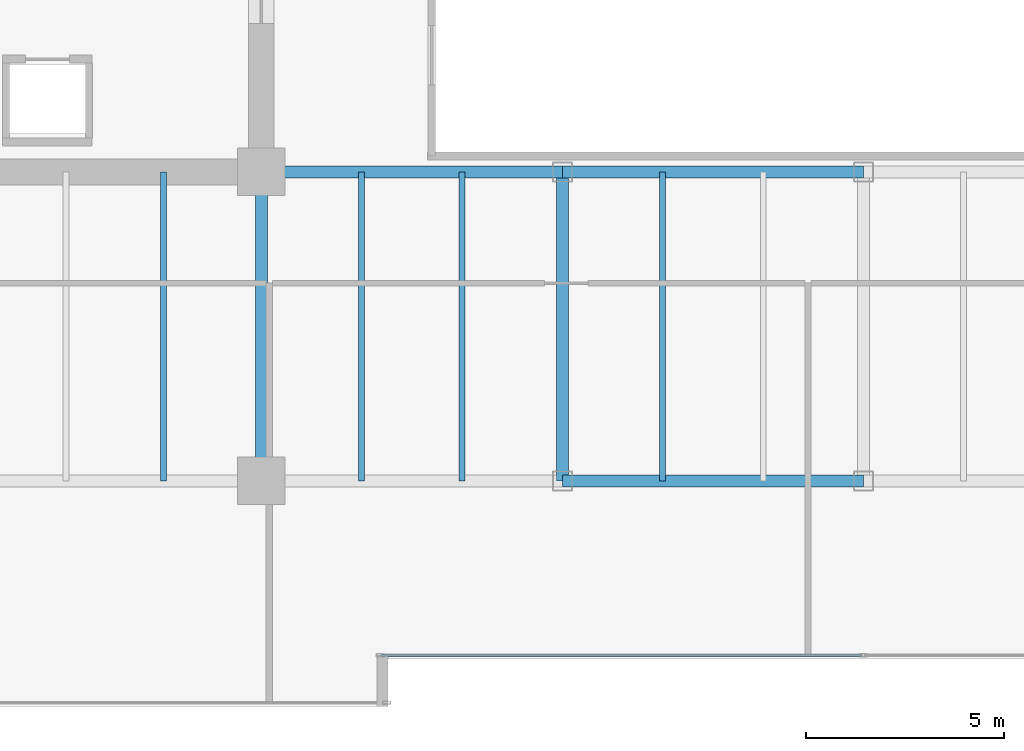
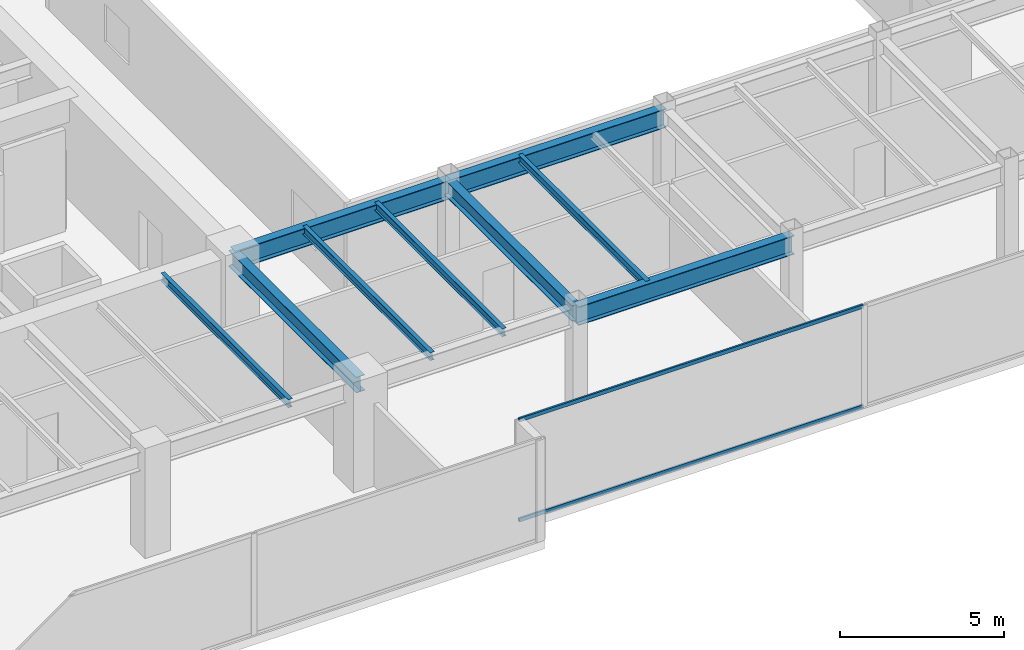
# One storey, part 5 of 31: 9 beams, 2 members, 1 element without a shape of its own.
"""IFC4 building model written with IfcOpenShell, lengths in metres."""

import ifcopenshell
import ifcopenshell.guid

model = None  # the IFC model being written
_history = None  # IfcOwnerHistory: only IFC2X3 demands one
_inside = {}  # id of a spatial element -> (the spatial element, [elements in it])
_under = {}  # id of a project, library or spatial element -> (it, [spatial elements below it])
_declared = {}  # id of a project -> (the project, [libraries it declares])
_typed = {}  # id of a type object -> (the type object, [elements of that type])
_made_of = {}  # id of a material, layer set ... -> (it, [elements and type objects made of it])


def new_model(schema):
    """Start an empty IFC model of exactly this schema.

    Asked for "IFC4X3", IfcOpenShell would pick the latest addendum, in which some entities
    have other attributes; the version numbers below select the first issue.
    IFC2X3 requires an IfcOwnerHistory on every rooted entity: one is made here for all.
    """
    global model, _history
    if schema == "IFC4X3":
        model = ifcopenshell.file(schema_version=(4, 3, 0, 0))
    else:
        model = ifcopenshell.file(schema=schema)
    _inside.clear()
    _under.clear()
    _declared.clear()
    _typed.clear()
    _made_of.clear()
    _history = None
    if model.schema == "IFC2X3":
        org = make("IfcOrganization", Name="unknown")
        user = make(
            "IfcPersonAndOrganization",
            ThePerson=make("IfcPerson", FamilyName="unknown"),
            TheOrganization=org,
        )
        app = make(
            "IfcApplication",
            ApplicationDeveloper=org,
            Version="unknown",
            ApplicationFullName="unknown",
            ApplicationIdentifier="unknown",
        )
        _history = make(
            "IfcOwnerHistory",
            OwningUser=user,
            OwningApplication=app,
            ChangeAction="ADDED",
            CreationDate=0,
        )
    return model


def make(cls, **values):
    """One entity of the class cls with the attributes given. An attribute that is None is left unset."""
    return model.create_entity(
        cls, **{name: value for name, value in values.items() if value is not None}
    )


def rooted(cls, **values):
    """An entity with a GlobalId (a new one), such as an element, a storey or a relation."""
    return make(cls, GlobalId=ifcopenshell.guid.new(), OwnerHistory=_history, **values)


def si_unit(unit_type, name, prefix=None):
    """IfcSIUnit, for example si_unit("LENGTHUNIT", "METRE", prefix="MILLI")."""
    return make("IfcSIUnit", UnitType=unit_type, Prefix=prefix, Name=name)


def assignment(units):
    """IfcUnitAssignment: the units of a project."""
    return None if units is None else make("IfcUnitAssignment", Units=units)


def point(xyz):
    """IfcCartesianPoint."""
    return None if xyz is None else make("IfcCartesianPoint", Coordinates=xyz)


def direction(xyz):
    """IfcDirection."""
    return None if xyz is None else make("IfcDirection", DirectionRatios=xyz)


def frame(location, z_axis=None, x_axis=None):
    """IfcAxis2Placement3D, a coordinate frame: its origin and axes. An axis left out is left unset."""
    return make(
        "IfcAxis2Placement3D",
        Location=point(location),
        Axis=direction(z_axis),
        RefDirection=direction(x_axis),
    )


def frame_2d(location, x_axis=None):
    """IfcAxis2Placement2D, a coordinate frame in the plane: its origin and x axis."""
    return make(
        "IfcAxis2Placement2D", Location=point(location), RefDirection=direction(x_axis)
    )


def origin():
    """The frame at (0, 0, 0) with its axes left unset."""
    return frame((0.0, 0.0, 0.0))


def origin_2d():
    """The frame at (0, 0) in the plane with its x axis left unset."""
    return frame_2d((0.0, 0.0))


def place(relative_to, where):
    """IfcLocalPlacement: puts the frame where relative to a parent placement (None: the world)."""
    return make(
        "IfcLocalPlacement", PlacementRelTo=relative_to, RelativePlacement=where
    )


def context(
    kind, dimensions, precision=None, world=None, true_north=None, identifier=None
):
    """IfcGeometricRepresentationContext, for example the 3D "Model" context."""
    return make(
        "IfcGeometricRepresentationContext",
        ContextIdentifier=identifier,
        ContextType=kind,
        CoordinateSpaceDimension=dimensions,
        Precision=precision,
        WorldCoordinateSystem=world,
        TrueNorth=true_north,
    )


def subcontext(parent, identifier, kind, view, scale=None):
    """IfcGeometricRepresentationSubContext, for example "Body" below "Model"."""
    return make(
        "IfcGeometricRepresentationSubContext",
        ContextIdentifier=identifier,
        ContextType=kind,
        ParentContext=parent,
        TargetScale=scale,
        TargetView=view,
    )


def project(units=None, contexts=None):
    """IfcProject with its units and contexts."""
    return rooted(
        "IfcProject",
        Name="project",
        RepresentationContexts=contexts,
        UnitsInContext=assignment(units),
    )


def spatial(cls, under=None, at=None, **own):
    """A site, building, storey or space (cls), placed at a placement, below another one or the project."""
    s = rooted(cls, ObjectPlacement=at, **own)
    if under is not None:
        _under.setdefault(under.id(), (under, []))[1].append(s)
    return s


def profile(cls, at=None, kind="AREA", **sizes):
    """A parametric profile (cls). Its sizes go by their IFC names, for example OverallWidth=200.0."""
    return make(cls, ProfileType=kind, Position=at, **sizes)


def hollow_rectangle(**sizes):
    """IfcRectangleHollowProfileDef."""
    return profile("IfcRectangleHollowProfileDef", **sizes)


def i_section(**sizes):
    """IfcIShapeProfileDef."""
    return profile("IfcIShapeProfileDef", **sizes)


def extrude(swept, where, along, depth):
    """IfcExtrudedAreaSolid: the profile swept, set in the frame where, extruded along a direction by depth."""
    return make(
        "IfcExtrudedAreaSolid",
        SweptArea=swept,
        Position=where,
        ExtrudedDirection=direction(along),
        Depth=depth,
    )


def shape(context_of_items, identifier, shape_type, items):
    """IfcShapeRepresentation: the items that make up one representation, for example the "Body"."""
    return make(
        "IfcShapeRepresentation",
        ContextOfItems=context_of_items,
        RepresentationIdentifier=identifier,
        RepresentationType=shape_type,
        Items=items,
    )


def source(mapping_origin, context_of_items, identifier, shape_type, items):
    """IfcRepresentationMap: a shape defined once, which mapped items show again and again."""
    return make(
        "IfcRepresentationMap",
        MappingOrigin=mapping_origin,
        MappedRepresentation=shape(context_of_items, identifier, shape_type, items),
    )


def transform(
    local_origin,
    x_axis=None,
    y_axis=None,
    z_axis=None,
    scale=None,
    scale2=None,
    scale3=None,
    uniform=True,
):
    """IfcCartesianTransformationOperator3D, or its non-uniform kind. x_axis, y_axis, z_axis: its Axis1, 2, 3."""
    if uniform:
        return make(
            "IfcCartesianTransformationOperator3D",
            Axis1=direction(x_axis),
            Axis2=direction(y_axis),
            LocalOrigin=point(local_origin),
            Scale=scale,
            Axis3=direction(z_axis),
        )
    return make(
        "IfcCartesianTransformationOperator3DnonUniform",
        Axis1=direction(x_axis),
        Axis2=direction(y_axis),
        LocalOrigin=point(local_origin),
        Scale=scale,
        Axis3=direction(z_axis),
        Scale2=scale2,
        Scale3=scale3,
    )


def mapped(mapping_source, mapping_target):
    """IfcMappedItem: shows the shape of a source again, moved by a transform."""
    return make(
        "IfcMappedItem", MappingSource=mapping_source, MappingTarget=mapping_target
    )


def material(Name=None, Category=None):
    """IfcMaterial."""
    return make("IfcMaterial", Name=Name, Category=Category)


def layer(
    of_material, thickness, ventilated=None, Name=None, Category=None, Priority=None
):
    """IfcMaterialLayer: one layer of a wall or slab, of a material (None: an air gap)."""
    return make(
        "IfcMaterialLayer",
        Material=of_material,
        LayerThickness=thickness,
        IsVentilated=ventilated,
        Name=Name,
        Category=Category,
        Priority=Priority,
    )


def layer_set(layers, Name=None):
    """IfcMaterialLayerSet."""
    return make("IfcMaterialLayerSet", MaterialLayers=layers, LayerSetName=Name)


def material_profile(
    of_material, cross_section, Name=None, Category=None, Priority=None
):
    """IfcMaterialProfile: a cross section and its material."""
    return make(
        "IfcMaterialProfile",
        Name=Name,
        Material=of_material,
        Profile=cross_section,
        Priority=Priority,
        Category=Category,
    )


def profile_set(profiles, Name=None, composite=None):
    """IfcMaterialProfileSet."""
    return make(
        "IfcMaterialProfileSet",
        Name=Name,
        MaterialProfiles=profiles,
        CompositeProfile=composite,
    )


def made_of(thing, what):
    """Note that an element or type object is made of a material, layer set ...; save() writes the relation."""
    if what is not None:
        _made_of.setdefault(what.id(), (what, []))[1].append(thing)
    return thing


def type_object(cls, material=None, **own):
    """A type object (cls), such as IfcWallType, which elements share."""
    return made_of(rooted(cls, **own), material)


def type_shapes(of_type, sources):
    """Give a type object the sources (RepresentationMaps) that its elements show as mapped items."""
    of_type.RepresentationMaps = sources


def element(
    cls,
    number,
    at=None,
    inside=None,
    cuts=None,
    type_object=None,
    material=None,
    context=None,
    identifier="Body",
    shape_type=None,
    held_by="IfcProductDefinitionShape",
    body=None,
    shapes=None,
    **own,
):
    """One element of the class cls, such as IfcWall. Its Tag is "e" and its number.

    at: its placement. inside: the storey or other place that contains it. cuts: it is an
    opening in that element (IfcRelVoidsElement). A single representation is given by context,
    identifier, shape_type and body (its items); several are given by shapes. held_by: the class
    of the entity that holds the representations. save() writes the other relations.
    """
    e = rooted(cls, Tag="e%d" % number, ObjectPlacement=at, **own)
    if body is not None:
        shapes = [shape(context, identifier, shape_type, body)]
    if shapes is not None:
        e.Representation = make(held_by, Representations=shapes)
    if inside is not None:
        _inside.setdefault(inside.id(), (inside, []))[1].append(e)
    if cuts is not None:
        rooted(
            "IfcRelVoidsElement", RelatingBuildingElement=cuts, RelatedOpeningElement=e
        )
    if type_object is not None:
        _typed.setdefault(type_object.id(), (type_object, []))[1].append(e)
    return made_of(e, material)


def aggregate(whole, parts):
    """IfcRelAggregates: a whole, such as a stair, and the parts it consists of."""
    return rooted("IfcRelAggregates", RelatingObject=whole, RelatedObjects=parts)


def save(model, path):
    """Write the relations noted so far, then the file.

    IfcRelAggregates (storeys below a building ...), IfcRelContainedInSpatialStructure (elements
    in a storey), IfcRelDefinesByType, IfcRelAssociatesMaterial and IfcRelDeclares: one each for
    every whole, place, type object, material and project.
    """
    for whole, parts in _under.values():
        aggregate(whole, parts)
    for where, things in _inside.values():
        rooted(
            "IfcRelContainedInSpatialStructure",
            RelatedElements=things,
            RelatingStructure=where,
        )
    for kind, things in _typed.values():
        rooted("IfcRelDefinesByType", RelatedObjects=things, RelatingType=kind)
    for what, things in _made_of.values():
        rooted("IfcRelAssociatesMaterial", RelatedObjects=things, RelatingMaterial=what)
    for by, libraries in _declared.values():
        rooted("IfcRelDeclares", RelatingContext=by, RelatedDefinitions=libraries)
    model.write(path)


model = new_model("IFC4")

# Units and contexts
model_context = context("Model", 3, precision=1e-05, world=origin(), true_north=direction((0.0, 1.0)))
body_context = subcontext(model_context, "Body", "Model", "MODEL_VIEW")
ifc_project = project(units=[si_unit("LENGTHUNIT", "METRE"), si_unit("AREAUNIT", "SQUARE_METRE"), si_unit("VOLUMEUNIT", "CUBIC_METRE"), si_unit("PLANEANGLEUNIT", "RADIAN"), si_unit("MASSUNIT", "GRAM", prefix="KILO")], contexts=[model_context])

# Site, building, storey
site_placement = place(None, origin())
site = spatial("IfcSite", under=ifc_project, at=site_placement, CompositionType="ELEMENT")
building_placement = place(site_placement, origin())
building = spatial("IfcBuilding", under=site, at=building_placement, Name="Haelvirn Gate Laboratories", CompositionType="ELEMENT")
storey_placement = place(building_placement, frame((0.0, 0.0, 174.800048828125)))
storey = spatial("IfcBuildingStorey", under=building, at=storey_placement, Name="L42", CompositionType="ELEMENT", Elevation=174.800048828125)

# Beams
ifc_material_1 = material(Name="Steel SM355", Category="steel")
ifc_material_profile_1 = material_profile(ifc_material_1, i_section(OverallWidth=0.300048828125, OverallDepth=0.699951171875, WebThickness=0.012939453125, FlangeThickness=0.02392578125, at=origin_2d()), Name="H-700x300x13x24")
ifc_profile_set_1 = profile_set([ifc_material_profile_1], Name="Steel SM355")
beam_type_1 = type_object("IfcBeamType", Name="BM-G-700", PredefinedType="BEAM", material=ifc_profile_set_1)
shared_shape_1 = source(origin(), body_context, "Body", "SweptSolid", [
    extrude(i_section(OverallWidth=0.300048828125, OverallDepth=0.699951171875, WebThickness=0.012939453125, FlangeThickness=0.02392578125, at=origin_2d()), origin(), (0.0, 0.0, 1.0), 7.60009765625),
])
beam_placement = place(storey_placement, frame((22.199951171875, 14.800048828125, 3.43994140625), z_axis=(1.0, 0.0, 0.0), x_axis=(0.0, 1.0, 0.0)))
element("IfcBeam", 1, at=beam_placement, inside=storey, type_object=beam_type_1, Name="L42 Primary Girder Y14.8 (22.2-29.8)", PredefinedType="BEAM", context=body_context, shape_type="MappedRepresentation", body=[
    mapped(shared_shape_1, transform((0.0, 0.0, 0.0), scale=1.0)),
])
shared_shape_2 = source(origin(), body_context, "Body", "SweptSolid", [
    extrude(i_section(OverallWidth=0.300048828125, OverallDepth=0.699951171875, WebThickness=0.012939453125, FlangeThickness=0.02392578125, at=origin_2d()), origin(), (0.0, 0.0, 1.0), 7.599853515625),
])
type_shapes(beam_type_1, [shared_shape_1, shared_shape_2])
for number, where, z_axis, x_axis, name in (
    (2, (29.800048828125, 7.0, 3.43994140625), (1.0, 0.0, 0.0), (0.0, 1.0, 0.0), "L42 Primary Girder Y7.0 (29.8-37.4)"),
    (3, (29.800048828125, 14.800048828125, 3.43994140625), (1.0, 0.0, 0.0), (0.0, 1.0, 0.0), "L42 Primary Girder Y14.8 (29.8-37.4)"),
):
    element("IfcBeam", number, at=place(storey_placement, frame(where, z_axis=z_axis, x_axis=x_axis)), inside=storey, type_object=beam_type_1, Name=name, PredefinedType="BEAM", context=body_context, shape_type="MappedRepresentation", body=[
        mapped(shared_shape_2, transform((0.0, 0.0, 0.0), scale=1.0)),
    ])
ifc_material_profile_2 = material_profile(ifc_material_1, i_section(OverallWidth=0.14990234375, OverallDepth=0.300048828125, WebThickness=0.006591796875, FlangeThickness=0.009033203125, at=origin_2d()), Name="H-300x150x6.5x9")
ifc_profile_set_2 = profile_set([ifc_material_profile_2], Name="Steel SM355")
beam_type_2 = type_object("IfcBeamType", Name="BM-J-300", PredefinedType="JOIST", material=ifc_profile_set_2)
shared_shape_3 = source(origin(), body_context, "Body", "SweptSolid", [
    extrude(i_section(OverallWidth=0.14990234375, OverallDepth=0.300048828125, WebThickness=0.006591796875, FlangeThickness=0.009033203125, at=origin_2d()), origin(), (0.0, 0.0, 1.0), 7.800048828125),
])
type_shapes(beam_type_2, [shared_shape_3])
for number, where, z_axis, x_axis, name in (
    (4, (19.72998046875, 7.0, 3.639892578125), (0.0, 1.0, 0.0), (-1.0, 0.0, 0.0), "L42 Composite Lab Joist South X19.73"),
    (5, (24.72998046875, 7.0, 3.639892578125), (0.0, 1.0, 0.0), (-1.0, 0.0, 0.0), "L42 Composite Lab Joist South X24.73"),
    (6, (27.27001953125, 7.0, 3.639892578125), (0.0, 1.0, 0.0), (-1.0, 0.0, 0.0), "L42 Composite Lab Joist South X27.27"),
    (7, (32.330078125, 7.0, 3.639892578125), (0.0, 1.0, 0.0), (-1.0, 0.0, 0.0), "L42 Composite Lab Joist South X32.33"),
):
    element("IfcBeam", number, at=place(storey_placement, frame(where, z_axis=z_axis, x_axis=x_axis)), inside=storey, type_object=beam_type_2, Name=name, PredefinedType="JOIST", context=body_context, shape_type="MappedRepresentation", body=[
        mapped(shared_shape_3, transform((0.0, 0.0, 0.0), scale=1.0)),
    ])
ifc_material_profile_3 = material_profile(ifc_material_1, i_section(OverallWidth=0.300048828125, OverallDepth=0.587890625, WebThickness=0.011962890625, FlangeThickness=0.02001953125, at=origin_2d()), Name="H-588x300x12x20")
ifc_profile_set_3 = profile_set([ifc_material_profile_3], Name="Steel SM355")
beam_type_3 = type_object("IfcBeamType", Name="BM-G-588", PredefinedType="BEAM", material=ifc_profile_set_3)
shared_shape_4 = source(origin(), body_context, "Body", "SweptSolid", [
    extrude(i_section(OverallWidth=0.300048828125, OverallDepth=0.587890625, WebThickness=0.011962890625, FlangeThickness=0.02001953125, at=origin_2d()), origin(), (0.0, 0.0, 1.0), 7.800048828125),
])
type_shapes(beam_type_3, [shared_shape_4])
for number, where, z_axis, x_axis, name in (
    (8, (22.199951171875, 7.0, 3.495849609375), (0.0, 1.0, 0.0), (-1.0, 0.0, 0.0), "L42 Frame Girder X22.2 (7.0-14.8)"),
    (9, (29.800048828125, 7.0, 3.495849609375), (0.0, 1.0, 0.0), (-1.0, 0.0, 0.0), "L42 Frame Girder X29.8 (7.0-14.8)"),
):
    element("IfcBeam", number, at=place(storey_placement, frame(where, z_axis=z_axis, x_axis=x_axis)), inside=storey, type_object=beam_type_3, Name=name, PredefinedType="BEAM", context=body_context, shape_type="MappedRepresentation", body=[
        mapped(shared_shape_4, transform((0.0, 0.0, 0.0), scale=1.0)),
    ])

# Curtain wall, members
ifc_material_2 = material(Name="Anodised bronze unitised aluminium & triple low-E glass", Category="aluminium")
ifc_layer = layer(ifc_material_2, 0.179931640625, Name="CW-SYS-3")
ifc_layer_set = layer_set([ifc_layer], Name="Anodised bronze unitised aluminium & triple low-E glass")
curtain_wall_type = type_object("IfcCurtainWallType", Name="CW-SYS-3", PredefinedType="NOTDEFINED", material=ifc_layer_set)
curtain_wall_placement = place(storey_placement, origin())
curtain_wall = element("IfcCurtainWall", 10, at=curtain_wall_placement, inside=storey, type_object=curtain_wall_type, Name="L42 Unitised Curtain Wall CW-L42-P0-E02-1", PredefinedType="NOTDEFINED")
ifc_material_3 = material(Name="Extruded aluminium 6063-T6 (anodised bronze)", Category="aluminium")
ifc_material_profile_4 = material_profile(ifc_material_3, hollow_rectangle(XDim=0.06494140625, YDim=0.139892578125, WallThickness=0.00390625, at=origin_2d()), Name="CWT-140x65x4")
ifc_profile_set_4 = profile_set([ifc_material_profile_4], Name="Extruded aluminium 6063-T6 (anodised bronze)")
member_type = type_object("IfcMemberType", Name="CWT-T140", PredefinedType="USERDEFINED", material=ifc_profile_set_4)
shared_shape_5 = source(origin(), body_context, "Body", "SweptSolid", [
    extrude(hollow_rectangle(XDim=0.06494140625, YDim=0.139892578125, WallThickness=0.00390625, at=origin_2d()), origin(), (0.0, 0.0, 1.0), 12.12744140625),
])
type_shapes(member_type, [shared_shape_5])
member_1_placement = place(storey_placement, frame((25.235107421875, 2.60009765625, 0.032470703125), z_axis=(1.0, 0.0, 0.0), x_axis=(0.0, 1.0, 0.0)))
member_1 = element("IfcMember", 11, at=member_1_placement, type_object=member_type, Name="CW3 transom 1.1", ObjectType="TRANSOM", PredefinedType="USERDEFINED", context=body_context, shape_type="MappedRepresentation", body=[
    mapped(shared_shape_5, transform((0.0, 0.0, 0.0), scale=1.0)),
])
member_2_placement = place(storey_placement, frame((25.235107421875, 2.60009765625, 3.757568359375), z_axis=(1.0, 0.0, 0.0), x_axis=(0.0, 1.0, 0.0)))
member_2 = element("IfcMember", 12, at=member_2_placement, type_object=member_type, Name="CW3 transom 1.2", ObjectType="TRANSOM", PredefinedType="USERDEFINED", context=body_context, shape_type="MappedRepresentation", body=[
    mapped(shared_shape_5, transform((0.0, 0.0, 0.0), scale=1.0)),
])
aggregate(curtain_wall, [member_1, member_2])

save(model, "model.ifc")
